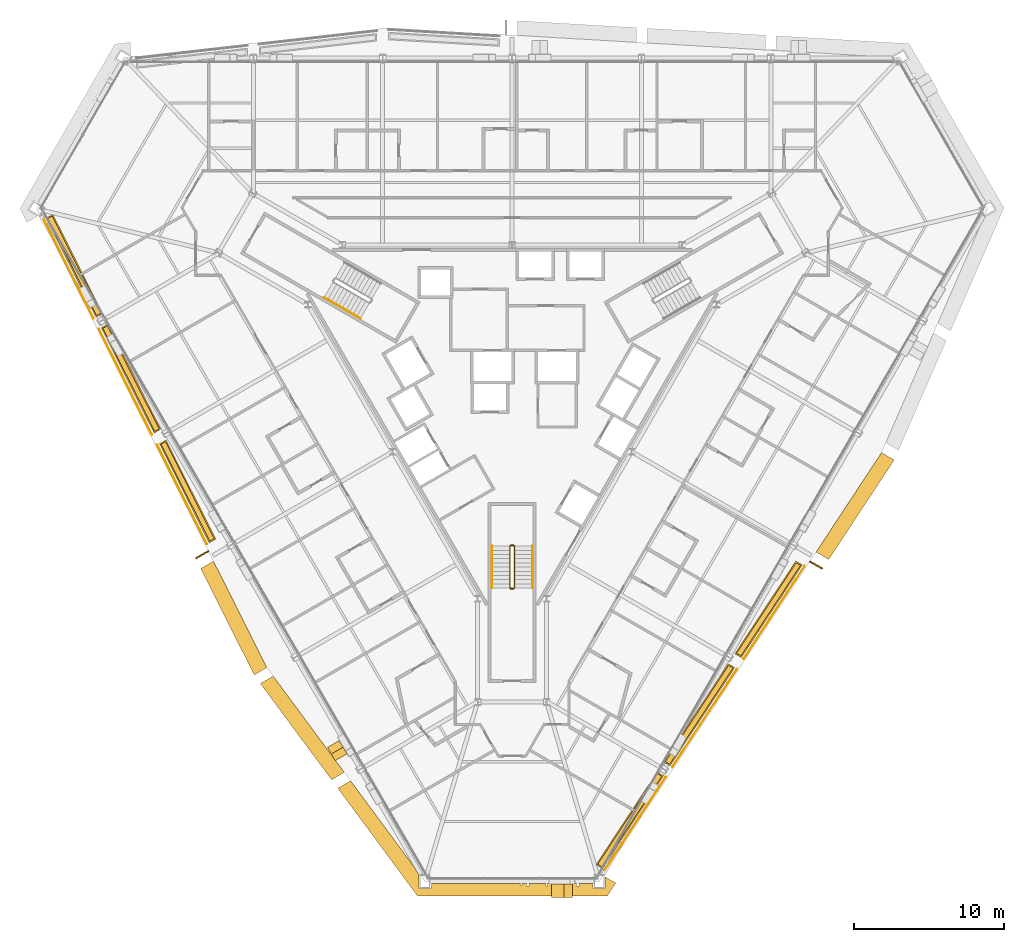
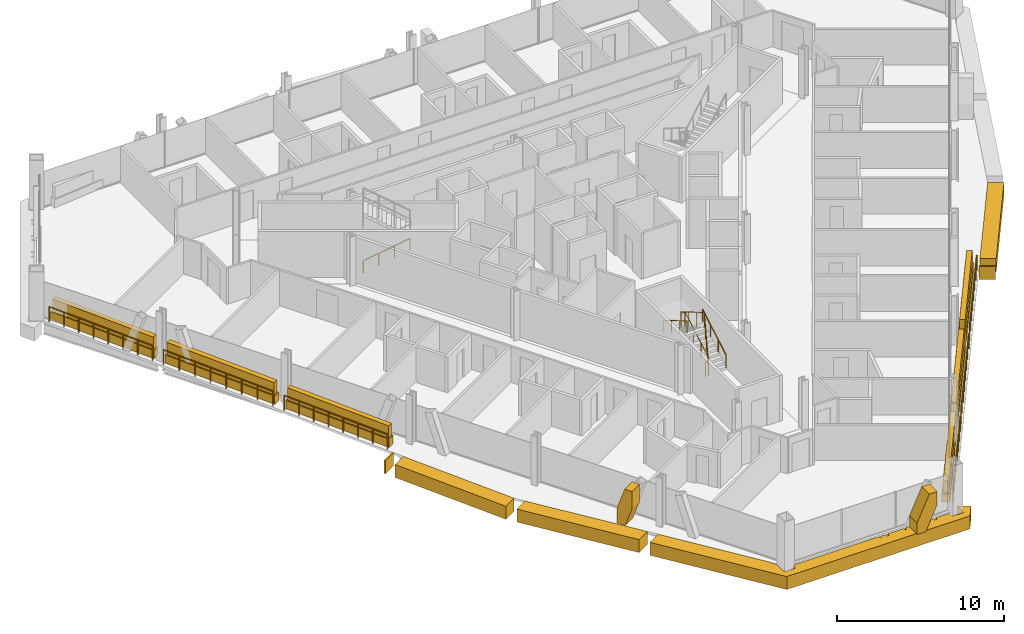
# One storey, part 17 of 18: 20 coverings, 10 railings.
"""IFC4 building model written with IfcOpenShell, lengths in metres."""

from ifc_helpers import new_model, si_unit, direction, frame, origin, origin_2d, place, context, subcontext, project, spatial, polyline, circle, outline, extrude, material, layer, layer_set, type_object, element, save


model = new_model("IFC4")

# Units and contexts
model_context = context("Model", 3, precision=1e-05, world=origin(), true_north=direction((0.0, 1.0)))
body_context = subcontext(model_context, "Body", "Model", "MODEL_VIEW")
ifc_project = project(units=[si_unit("LENGTHUNIT", "METRE"), si_unit("AREAUNIT", "SQUARE_METRE"), si_unit("VOLUMEUNIT", "CUBIC_METRE"), si_unit("PLANEANGLEUNIT", "RADIAN"), si_unit("MASSUNIT", "GRAM", prefix="KILO")], contexts=[model_context])

# Site, building, storey
site_placement = place(None, origin())
site = spatial("IfcSite", under=ifc_project, at=site_placement, CompositionType="ELEMENT")
building_placement = place(site_placement, origin())
building = spatial("IfcBuilding", under=site, at=building_placement, Name="Verrane Prism Tower", CompositionType="ELEMENT")
storey_placement = place(building_placement, frame((0.0, 0.0, 80.0)))
storey = spatial("IfcBuildingStorey", under=building, at=storey_placement, Name="L18", CompositionType="ELEMENT", Elevation=80.0)

# Coverings
ifc_material_1 = material(Name="Planting medium in stone kerb", Category="masonry")
covering_type_1 = type_object("IfcCoveringType", Name="Planter bed 600", PredefinedType="USERDEFINED", material=ifc_material_1)
covering_1_placement = place(storey_placement, origin())
element("IfcCovering", 1, at=covering_1_placement, inside=storey, type_object=covering_type_1, Name="Loggia planter SW1 L18", ObjectType="PLANTER", PredefinedType="USERDEFINED", context=body_context, shape_type="SweptSolid", body=[
    extrude(outline(polyline([(-31.07275390625, 10.980224609375), (-27.755859375, 4.371337890625), (-27.322998046875, 4.621337890625), (-30.639892578125, 11.230224609375), (-31.07275390625, 10.980224609375)])), origin(), (0.0, 0.0, 1.0), 0.60009765625),
])
covering_2_placement = place(storey_placement, origin())
element("IfcCovering", 2, at=covering_2_placement, inside=storey, type_object=covering_type_1, Name="Loggia planter SW2 L18", ObjectType="PLANTER", PredefinedType="USERDEFINED", context=body_context, shape_type="SweptSolid", body=[
    extrude(outline(polyline([(-27.396484375, 3.6552734375), (-23.87744140625, -3.3564453125), (-23.4443359375, -3.1064453125), (-26.96337890625, 3.9052734375), (-27.396484375, 3.6552734375)])), origin(), (0.0, 0.0, 1.0), 0.60009765625),
])
covering_3_placement = place(storey_placement, origin())
element("IfcCovering", 3, at=covering_3_placement, inside=storey, type_object=covering_type_1, Name="Loggia planter SW3 L18", ObjectType="PLANTER", PredefinedType="USERDEFINED", context=body_context, shape_type="SweptSolid", body=[
    extrude(outline(polyline([(-23.517822265625, -4.07275390625), (-20.200927734375, -10.681640625), (-19.76806640625, -10.431640625), (-23.0849609375, -3.82275390625), (-23.517822265625, -4.07275390625)])), origin(), (0.0, 0.0, 1.0), 0.60009765625),
])
covering_4_placement = place(storey_placement, origin())
element("IfcCovering", 4, at=covering_4_placement, inside=storey, type_object=covering_type_1, Name="Loggia planter SE1 L18", ObjectType="PLANTER", PredefinedType="USERDEFINED", context=body_context, shape_type="SweptSolid", body=[
    extrude(outline(polyline([(6.02734375, -32.39990234375), (10.09228515625, -26.222900390625), (9.6591796875, -25.972900390625), (5.59423828125, -32.14990234375), (6.02734375, -32.39990234375)])), origin(), (0.0, 0.0, 1.0), 0.60009765625),
])
covering_5_placement = place(storey_placement, origin())
element("IfcCovering", 5, at=covering_5_placement, inside=storey, type_object=covering_type_1, Name="Loggia planter SE2 L18", ObjectType="PLANTER", PredefinedType="USERDEFINED", context=body_context, shape_type="SweptSolid", body=[
    extrude(outline(polyline([(10.53271484375, -25.5537109375), (14.845458984375, -19.000244140625), (14.41259765625, -18.750244140625), (10.099853515625, -25.3037109375), (10.53271484375, -25.5537109375)])), origin(), (0.0, 0.0, 1.0), 0.60009765625),
])
covering_6_placement = place(storey_placement, origin())
element("IfcCovering", 6, at=covering_6_placement, inside=storey, type_object=covering_type_1, Name="Loggia planter SE3 L18", ObjectType="PLANTER", PredefinedType="USERDEFINED", context=body_context, shape_type="SweptSolid", body=[
    extrude(outline(polyline([(15.2861328125, -18.330810546875), (19.35107421875, -12.15380859375), (18.91796875, -11.90380859375), (14.85302734375, -18.080810546875), (15.2861328125, -18.330810546875)])), origin(), (0.0, 0.0, 1.0), 0.60009765625),
])
ifc_material_2 = material(Name="Planted shrubs and grasses", Category="other")
covering_type_2 = type_object("IfcCoveringType", Name="Planting mass 1000", PredefinedType="USERDEFINED", material=ifc_material_2)
covering_7_placement = place(storey_placement, frame((0.0, 0.0, 0.60009765625)))
element("IfcCovering", 7, at=covering_7_placement, inside=storey, type_object=covering_type_2, Name="Loggia planting SW1 L18", ObjectType="PLANTING", PredefinedType="USERDEFINED", context=body_context, shape_type="SweptSolid", body=[
    extrude(outline(polyline([(-27.722412109375, 4.483154296875), (-27.42822265625, 4.653076171875), (-30.67333984375, 11.118408203125), (-30.967529296875, 10.948486328125), (-27.722412109375, 4.483154296875)])), origin(), (0.0, 0.0, 1.0), 0.89990234375),
])
covering_8_placement = place(storey_placement, frame((0.0, 0.0, 0.60009765625)))
element("IfcCovering", 8, at=covering_8_placement, inside=storey, type_object=covering_type_2, Name="Loggia planting SW2 L18", ObjectType="PLANTING", PredefinedType="USERDEFINED", context=body_context, shape_type="SweptSolid", body=[
    extrude(outline(polyline([(-23.843994140625, -3.244873046875), (-23.5498046875, -3.074951171875), (-26.996826171875, 3.79345703125), (-27.291015625, 3.62353515625), (-23.843994140625, -3.244873046875)])), origin(), (0.0, 0.0, 1.0), 0.89990234375),
])
covering_9_placement = place(storey_placement, frame((0.0, 0.0, 0.60009765625)))
element("IfcCovering", 9, at=covering_9_placement, inside=storey, type_object=covering_type_2, Name="Loggia planting SW3 L18", ObjectType="PLANTING", PredefinedType="USERDEFINED", context=body_context, shape_type="SweptSolid", body=[
    extrude(outline(polyline([(-20.16748046875, -10.56982421875), (-19.873291015625, -10.39990234375), (-23.118408203125, -3.9345703125), (-23.41259765625, -4.1044921875), (-20.16748046875, -10.56982421875)])), origin(), (0.0, 0.0, 1.0), 0.89990234375),
])
covering_10_placement = place(storey_placement, frame((0.0, 0.0, 0.60009765625)))
element("IfcCovering", 10, at=covering_10_placement, inside=storey, type_object=covering_type_2, Name="Loggia planting SE1 L18", ObjectType="PLANTING", PredefinedType="USERDEFINED", context=body_context, shape_type="SweptSolid", body=[
    extrude(outline(polyline([(9.978759765625, -26.25), (9.6845703125, -26.080078125), (5.707763671875, -32.123046875), (6.001953125, -32.29296875), (9.978759765625, -26.25)])), origin(), (0.0, 0.0, 1.0), 0.89990234375),
])
covering_11_placement = place(storey_placement, frame((0.0, 0.0, 0.60009765625)))
element("IfcCovering", 11, at=covering_11_placement, inside=storey, type_object=covering_type_2, Name="Loggia planting SE2 L18", ObjectType="PLANTING", PredefinedType="USERDEFINED", context=body_context, shape_type="SweptSolid", body=[
    extrude(outline(polyline([(14.73193359375, -19.027099609375), (14.437744140625, -18.857177734375), (10.21337890625, -25.276611328125), (10.507568359375, -25.446533203125), (14.73193359375, -19.027099609375)])), origin(), (0.0, 0.0, 1.0), 0.89990234375),
])
covering_12_placement = place(storey_placement, frame((0.0, 0.0, 0.60009765625)))
element("IfcCovering", 12, at=covering_12_placement, inside=storey, type_object=covering_type_2, Name="Loggia planting SE3 L18", ObjectType="PLANTING", PredefinedType="USERDEFINED", context=body_context, shape_type="SweptSolid", body=[
    extrude(outline(polyline([(19.237548828125, -12.1806640625), (18.943359375, -12.0107421875), (14.966552734375, -18.0537109375), (15.2607421875, -18.2236328125), (19.237548828125, -12.1806640625)])), origin(), (0.0, 0.0, 1.0), 0.89990234375),
])

# Railings
ifc_material_3 = material(Name="Steel A36 rail and posts, no infill", Category="steel")
railing_type_1 = type_object("IfcRailingType", Name="Stair guard 1100 steel rail and posts", PredefinedType="GUARDRAIL", material=ifc_material_3)
railing_1_placement = place(storey_placement, frame((0.14990234375, -13.699951171875, 0.16357421875)))
element("IfcRailing", 13, at=railing_1_placement, inside=storey, type_object=railing_type_1, Name="Stair 3 guard", PredefinedType="GUARDRAIL", context=body_context, shape_type="SweptSolid", body=[
    extrude(circle(Radius=0.02392578125, at=origin_2d()), frame((0.0, 0.0, 1.076171875), z_axis=(0.0, 0.863360870873, 0.504586966384), x_axis=(-1.0, 0.0, 0.0)), (0.0, 0.0, 1.0), 3.2431640625),
    extrude(circle(Radius=0.02392578125, at=origin_2d()), frame((0.0, 2.800048828125, 2.71240234375), z_axis=(-0.707106781187, 0.707106781187, 0.0), x_axis=(-0.707106781187, -0.707106781187, 0.0)), (0.0, 0.0, 1.0), 0.0703125),
    extrude(circle(Radius=0.02392578125, at=origin_2d()), frame((-0.0498046875, 2.849853515625, 2.71240234375), z_axis=(-1.0, 0.0, 0.0), x_axis=(0.0, -1.0, 0.0)), (0.0, 0.0, 1.0), 0.2001953125),
    extrude(circle(Radius=0.02392578125, at=origin_2d()), frame((-0.25, 2.849853515625, 2.71240234375), z_axis=(-0.279653641804, -0.279653641804, 0.918470294159), x_axis=(0.707106781187, -0.707106781187, 0.0)), (0.0, 0.0, 1.0), 0.177978515625),
    extrude(circle(Radius=0.02392578125, at=origin_2d()), frame((-0.2998046875, 2.800048828125, 2.8759765625), z_axis=(0.0, -0.863360870873, 0.504586966384), x_axis=(1.0, 0.0, 0.0)), (0.0, 0.0, 1.0), 3.2431640625),
    extrude(circle(Radius=0.02392578125, at=origin_2d()), frame((-0.2998046875, 0.0, 4.5126953125), z_axis=(0.069269067181, -0.013867342551, -0.997501625634), x_axis=(0.196300278283, 0.98054382908, 0.0)), (0.0, 0.0, 1.0), 3.609130859375),
    extrude(circle(Radius=0.02392578125, at=origin_2d()), frame((-0.0498046875, -0.050048828125, 0.91259765625), z_axis=(-1.0, 0.0, 0.0), x_axis=(0.0, -1.0, 0.0)), (0.0, 0.0, 1.0), 0.2001953125),
    extrude(circle(Radius=0.02099609375, at=origin_2d()), origin(), (0.0, 0.0, 1.0), 1.052001953125),
    extrude(circle(Radius=0.02099609375, at=origin_2d()), frame((0.0, 0.933349609375, 0.54541015625)), (0.0, 0.0, 1.0), 1.052001953125),
    extrude(circle(Radius=0.02099609375, at=origin_2d()), frame((0.0, 1.86669921875, 1.091064453125)), (0.0, 0.0, 1.0), 1.052001953125),
    extrude(circle(Radius=0.02099609375, at=origin_2d()), frame((0.0, 2.800048828125, 1.636474609375)), (0.0, 0.0, 1.0), 1.052001953125),
    extrude(circle(Radius=0.02099609375, at=origin_2d()), frame((-0.0498046875, 2.849853515625, 1.636474609375)), (0.0, 0.0, 1.0), 1.052001953125),
    extrude(circle(Radius=0.02099609375, at=origin_2d()), frame((-0.25, 2.849853515625, 1.636474609375)), (0.0, 0.0, 1.0), 1.052001953125),
    extrude(circle(Radius=0.02099609375, at=origin_2d()), frame((-0.2998046875, 2.800048828125, 1.800048828125)), (0.0, 0.0, 1.0), 1.052001953125),
    extrude(circle(Radius=0.02099609375, at=origin_2d()), frame((-0.2998046875, 1.86669921875, 2.345458984375)), (0.0, 0.0, 1.0), 1.052001953125),
    extrude(circle(Radius=0.02099609375, at=origin_2d()), frame((-0.2998046875, 0.933349609375, 2.89111328125)), (0.0, 0.0, 1.0), 1.052001953125),
    extrude(circle(Radius=0.02099609375, at=origin_2d()), frame((-0.2998046875, 0.0, 3.4365234375)), (0.0, 0.0, 1.0), 1.052001953125),
    extrude(circle(Radius=0.02099609375, at=origin_2d()), frame((-0.2373046875, -0.012451171875, 2.53662109375)), (0.0, 0.0, 1.0), 1.052001953125),
    extrude(circle(Radius=0.02099609375, at=origin_2d()), frame((-0.1748046875, -0.02490234375, 1.636474609375)), (0.0, 0.0, 1.0), 1.052001953125),
    extrude(circle(Radius=0.02099609375, at=origin_2d()), frame((-0.1123046875, -0.03759765625, 0.736328125)), (0.0, 0.0, 1.0), 1.052001953125),
    extrude(circle(Radius=0.02099609375, at=origin_2d()), frame((-0.0498046875, -0.050048828125, -0.16357421875)), (0.0, 0.0, 1.0), 1.052001953125),
    extrude(circle(Radius=0.02099609375, at=origin_2d()), frame((-0.25, -0.050048828125, -0.16357421875)), (0.0, 0.0, 1.0), 1.052001953125),
])
ifc_material_4 = material(Name="Steel A36 tube", Category="steel")
railing_type_2 = type_object("IfcRailingType", Name="Stair handrail 900 steel tube", PredefinedType="HANDRAIL", material=ifc_material_4)
railing_2_placement = place(storey_placement, frame((-12.53955078125, 5.680908203125, 0.16357421875)))
element("IfcRailing", 14, at=railing_2_placement, inside=storey, type_object=railing_type_2, Name="Stair 2 handrail", PredefinedType="HANDRAIL", context=body_context, shape_type="SweptSolid", body=[
    extrude(circle(Radius=0.02392578125, at=origin_2d()), frame((0.0, 0.0, 0.8759765625), z_axis=(0.747665513933, -0.431721881032, 0.504591415616), x_axis=(0.500049511043, 0.865996816683, 0.0)), (0.0, 0.0, 1.0), 3.2431640625),
    extrude(circle(Radius=0.02099609375, at=origin_2d()), origin(), (0.0, 0.0, 1.0), 0.851806640625),
    extrude(circle(Radius=0.02099609375, at=origin_2d()), frame((0.808349609375, -0.466796875, 0.54541015625)), (0.0, 0.0, 1.0), 0.851806640625),
    extrude(circle(Radius=0.02099609375, at=origin_2d()), frame((1.616455078125, -0.933349609375, 1.091064453125)), (0.0, 0.0, 1.0), 0.851806640625),
    extrude(circle(Radius=0.02099609375, at=origin_2d()), frame((2.4248046875, -1.400146484375, 1.636474609375)), (0.0, 0.0, 1.0), 0.851806640625),
])
railing_3_placement = place(storey_placement, frame((1.35009765625, -13.699951171875, 0.16357421875)))
element("IfcRailing", 15, at=railing_3_placement, inside=storey, type_object=railing_type_2, Name="Stair 3 handrail", PredefinedType="HANDRAIL", context=body_context, shape_type="SweptSolid", body=[
    extrude(circle(Radius=0.02392578125, at=origin_2d()), frame((0.0, 0.0, 0.8759765625), z_axis=(0.0, 0.863360870873, 0.504586966384), x_axis=(-1.0, 0.0, 0.0)), (0.0, 0.0, 1.0), 3.2431640625),
    extrude(circle(Radius=0.02099609375, at=origin_2d()), origin(), (0.0, 0.0, 1.0), 0.851806640625),
    extrude(circle(Radius=0.02099609375, at=origin_2d()), frame((0.0, 0.933349609375, 0.54541015625)), (0.0, 0.0, 1.0), 0.851806640625),
    extrude(circle(Radius=0.02099609375, at=origin_2d()), frame((0.0, 1.86669921875, 1.091064453125)), (0.0, 0.0, 1.0), 0.851806640625),
    extrude(circle(Radius=0.02099609375, at=origin_2d()), frame((0.0, 2.800048828125, 1.636474609375)), (0.0, 0.0, 1.0), 0.851806640625),
])
railing_4_placement = place(storey_placement, frame((-1.35009765625, -10.89990234375, 1.963623046875)))
element("IfcRailing", 16, at=railing_4_placement, inside=storey, type_object=railing_type_2, Name="Stair 3 handrail", PredefinedType="HANDRAIL", context=body_context, shape_type="SweptSolid", body=[
    extrude(circle(Radius=0.02392578125, at=origin_2d()), frame((0.0, 0.0, 0.8759765625), z_axis=(0.0, -0.863360870873, 0.504586966384), x_axis=(1.0, 0.0, 0.0)), (0.0, 0.0, 1.0), 3.2431640625),
    extrude(circle(Radius=0.02099609375, at=origin_2d()), origin(), (0.0, 0.0, 1.0), 0.851806640625),
    extrude(circle(Radius=0.02099609375, at=origin_2d()), frame((0.0, -0.933349609375, 0.54541015625)), (0.0, 0.0, 1.0), 0.851806640625),
    extrude(circle(Radius=0.02099609375, at=origin_2d()), frame((0.0, -1.86669921875, 1.091064453125)), (0.0, 0.0, 1.0), 0.851806640625),
    extrude(circle(Radius=0.02099609375, at=origin_2d()), frame((0.0, -2.800048828125, 1.636474609375)), (0.0, 0.0, 1.0), 0.851806640625),
])

# Coverings
ifc_material_5 = material(Name="Warm limestone cladding", Category="masonry")
ifc_layer_1 = layer(ifc_material_5, 0.89990234375)
ifc_layer_set_1 = layer_set([ifc_layer_1], Name="Stone brace fin 900")
covering_type_3 = type_object("IfcCoveringType", Name="Stone brace fin 900", PredefinedType="CLADDING", material=ifc_layer_set_1)
covering_13_placement = place(storey_placement, frame((-11.923095703125, -24.0927734375, 0.0), z_axis=(0.0, 0.0, 1.0), x_axis=(0.5001118933, -0.865960792519, 0.0)))
element("IfcCovering", 17, at=covering_13_placement, inside=storey, type_object=covering_type_3, Name="Stone brace fin SW5 L18", PredefinedType="CLADDING", context=body_context, shape_type="SweptSolid", body=[
    extrude(outline(polyline([(1.031005859375, 2.64990234375), (0.515869140625, 2.64990234375), (0.0, 1.145263671875), (0.0, 0.0), (0.558837890625, 0.0), (1.031005859375, 1.377685546875), (1.031005859375, 2.64990234375)])), frame((0.0, 0.449951171875, 0.0), z_axis=(0.0, -1.0, 0.0), x_axis=(1.0, 0.0, 0.0)), (0.0, 0.0, 1.0), 0.89990234375),
])
covering_14_placement = place(storey_placement, frame((2.632080078125, -33.8876953125, 0.0), z_axis=(0.0, 0.0, 1.0), x_axis=(1.0, 0.0, 0.0)))
element("IfcCovering", 18, at=covering_14_placement, inside=storey, type_object=covering_type_3, Name="Stone brace fin S1 L18", PredefinedType="CLADDING", context=body_context, shape_type="SweptSolid", body=[
    extrude(outline(polyline([(1.38720703125, 2.64990234375), (0.841552734375, 2.64990234375), (0.0, 0.827880859375), (0.0, 0.0), (0.60888671875, 0.0), (1.38720703125, 1.684814453125), (1.38720703125, 2.64990234375)])), frame((0.0, 0.449951171875, 0.0), z_axis=(0.0, -1.0, 0.0), x_axis=(1.0, 0.0, 0.0)), (0.0, 0.0, 1.0), 0.89990234375),
])
ifc_material_6 = material(Name="Warm limestone cladding", Category="masonry")
ifc_layer_2 = layer(ifc_material_6, 0.449951171875)
ifc_layer_set_2 = layer_set([ifc_layer_2], Name="Stone spandrel band 450")
covering_type_4 = type_object("IfcCoveringType", Name="Stone spandrel band 450", PredefinedType="CLADDING", material=ifc_layer_set_2)
covering_15_placement = place(storey_placement, frame((0.0, 0.0, -0.949951171875)))
element("IfcCovering", 19, at=covering_15_placement, inside=storey, type_object=covering_type_4, Name="Stone spandrel band L18 part 2", PredefinedType="CLADDING", context=body_context, shape_type="SweptSolid", body=[
    extrude(outline(polyline([(6.34619140625, -34.2392578125), (6.915283203125, -33.37451171875), (6.199951171875, -32.961669921875), (6.199951171875, -33.739990234375), (5.43994140625, -33.739990234375), (5.43994140625, -33.718017578125), (5.392822265625, -33.634521484375), (5.392822265625, -33.39453125), (4.446533203125, -33.39453125), (4.446533203125, -33.56005859375), (4.291259765625, -33.56005859375), (4.291259765625, -33.39453125), (4.019287109375, -33.39453125), (4.019287109375, -33.56005859375), (3.923095703125, -33.56005859375), (3.923095703125, -33.39453125), (2.79150390625, -33.39453125), (2.79150390625, -33.56005859375), (2.632080078125, -33.56005859375), (2.632080078125, -33.39453125), (2.3564453125, -33.39453125), (2.3564453125, -33.56005859375), (2.26025390625, -33.56005859375), (2.26025390625, -33.39453125), (1.128662109375, -33.39453125), (1.128662109375, -33.56005859375), (0.96923828125, -33.56005859375), (0.96923828125, -33.39453125), (0.666015625, -33.39453125), (0.63134765625, -33.552978515625), (0.53662109375, -33.5322265625), (0.56689453125, -33.39453125), (-5.392822265625, -33.39453125), (-5.392822265625, -33.634521484375), (-5.43994140625, -33.718017578125), (-5.43994140625, -33.739990234375), (-6.199951171875, -33.739990234375), (-6.199951171875, -32.867919921875), (-6.521484375, -32.31103515625), (-10.7744140625, -26.55908203125), (-11.626953125, -27.051513671875), (-6.312255859375, -34.2392578125), (6.34619140625, -34.2392578125)])), origin(), (0.0, 0.0, 1.0), 0.949951171875),
])
covering_16_placement = place(storey_placement, frame((0.0, 0.0, -0.949951171875)))
element("IfcCovering", 20, at=covering_16_placement, inside=storey, type_object=covering_type_4, Name="Stone spandrel band L18 part 4", PredefinedType="CLADDING", context=body_context, shape_type="SweptSolid", body=[
    extrude(outline(polyline([(-20.770263671875, -12.395751953125), (-17.2060546875, -19.4970703125), (-16.357666015625, -19.007080078125), (-19.921630859375, -11.906005859375), (-20.770263671875, -12.395751953125)])), origin(), (0.0, 0.0, 1.0), 0.949951171875),
])
covering_17_placement = place(storey_placement, frame((0.0, 0.0, -0.949951171875)))
element("IfcCovering", 21, at=covering_17_placement, inside=storey, type_object=covering_type_4, Name="Stone spandrel band L18 part 5", PredefinedType="CLADDING", context=body_context, shape_type="SweptSolid", body=[
    extrude(outline(polyline([(-16.7919921875, -20.066162109375), (-12.0458984375, -26.485107421875), (-11.193359375, -25.992919921875), (-15.939453125, -19.573974609375), (-16.7919921875, -20.066162109375)])), origin(), (0.0, 0.0, 1.0), 0.949951171875),
])
covering_18_placement = place(storey_placement, frame((0.0, 0.0, -0.949951171875)))
element("IfcCovering", 22, at=covering_18_placement, inside=storey, type_object=covering_type_4, Name="Stone spandrel band L18 part 6", PredefinedType="CLADDING", context=body_context, shape_type="SweptSolid", body=[
    extrude(outline(polyline([(24.639404296875, -4.66259765625), (20.271728515625, -11.2998046875), (21.1201171875, -11.78955078125), (25.488037109375, -5.15234375), (24.639404296875, -4.66259765625)])), origin(), (0.0, 0.0, 1.0), 0.949951171875),
])
covering_19_placement = place(storey_placement, frame((0.0, 0.0, -0.949951171875)))
element("IfcCovering", 23, at=covering_19_placement, inside=storey, type_object=covering_type_4, Name="Stone spandrel band L18 part 9", PredefinedType="CLADDING", context=body_context, shape_type="SweptSolid", body=[
    extrude(outline(polyline([(-20.281005859375, -11.189697265625), (-21.129638671875, -11.6796875), (-21.084716796875, -11.76904296875), (-20.236083984375, -11.279296875), (-20.281005859375, -11.189697265625)])), origin(), (0.0, 0.0, 1.0), 0.949951171875),
])
covering_20_placement = place(storey_placement, frame((0.0, 0.0, -0.949951171875)))
element("IfcCovering", 24, at=covering_20_placement, inside=storey, type_object=covering_type_4, Name="Stone spandrel band L18 part 10", PredefinedType="CLADDING", context=body_context, shape_type="SweptSolid", body=[
    extrude(outline(polyline([(19.8310546875, -11.968994140625), (20.6796875, -12.458984375), (20.734619140625, -12.375244140625), (19.88623046875, -11.885498046875), (19.8310546875, -11.968994140625)])), origin(), (0.0, 0.0, 1.0), 0.949951171875),
])

# Railings
ifc_material_7 = material(Name="Stainless steel and laminated glass", Category="steel")
railing_type_3 = type_object("IfcRailingType", Name="Terrace guard 1100", PredefinedType="GUARDRAIL", material=ifc_material_7)
railing_5_placement = place(storey_placement, frame((-31.228515625, 10.89013671875, 0.0)))
element("IfcRailing", 25, at=railing_5_placement, inside=storey, type_object=railing_type_3, Name="Loggia guard SW1 L18", PredefinedType="GUARDRAIL", context=body_context, shape_type="SweptSolid", body=[
    extrude(circle(Radius=0.02392578125, at=origin_2d()), frame((0.0, 0.0, 1.076171875), z_axis=(0.448547017888, -0.893759236452, 0.0), x_axis=(0.893759236452, 0.448547017888, 0.0)), (0.0, 0.0, 1.0), 7.394287109375),
    extrude(circle(Radius=0.02099609375, at=origin_2d()), origin(), (0.0, 0.0, 1.0), 1.052001953125),
    extrude(circle(Radius=0.02099609375, at=origin_2d()), frame((0.473876953125, -0.944091796875, 0.0)), (0.0, 0.0, 1.0), 1.052001953125),
    extrude(circle(Radius=0.02099609375, at=origin_2d()), frame((0.947509765625, -1.88818359375, 0.0)), (0.0, 0.0, 1.0), 1.052001953125),
    extrude(circle(Radius=0.02099609375, at=origin_2d()), frame((1.42138671875, -2.832275390625, 0.0)), (0.0, 0.0, 1.0), 1.052001953125),
    extrude(circle(Radius=0.02099609375, at=origin_2d()), frame((1.895263671875, -3.7763671875, 0.0)), (0.0, 0.0, 1.0), 1.052001953125),
    extrude(circle(Radius=0.02099609375, at=origin_2d()), frame((2.369140625, -4.720458984375, 0.0)), (0.0, 0.0, 1.0), 1.052001953125),
    extrude(circle(Radius=0.02099609375, at=origin_2d()), frame((2.8427734375, -5.66455078125, 0.0)), (0.0, 0.0, 1.0), 1.052001953125),
    extrude(circle(Radius=0.02099609375, at=origin_2d()), frame((3.316650390625, -6.608642578125, 0.0)), (0.0, 0.0, 1.0), 1.052001953125),
])
railing_6_placement = place(storey_placement, frame((-27.55224609375, 3.565185546875, 0.0)))
element("IfcRailing", 26, at=railing_6_placement, inside=storey, type_object=railing_type_3, Name="Loggia guard SW2 L18", PredefinedType="GUARDRAIL", context=body_context, shape_type="SweptSolid", body=[
    extrude(circle(Radius=0.02392578125, at=origin_2d()), frame((0.0, 0.0, 1.076171875), z_axis=(0.448557455684, -0.893753998005, 0.0), x_axis=(0.893753998005, 0.448557455684, 0.0)), (0.0, 0.0, 1.0), 7.84521484375),
    extrude(circle(Radius=0.02099609375, at=origin_2d()), origin(), (0.0, 0.0, 1.0), 1.052001953125),
    extrude(circle(Radius=0.02099609375, at=origin_2d()), frame((0.502685546875, -1.001708984375, 0.0)), (0.0, 0.0, 1.0), 1.052001953125),
    extrude(circle(Radius=0.02099609375, at=origin_2d()), frame((1.00537109375, -2.00341796875, 0.0)), (0.0, 0.0, 1.0), 1.052001953125),
    extrude(circle(Radius=0.02099609375, at=origin_2d()), frame((1.508056640625, -3.005126953125, 0.0)), (0.0, 0.0, 1.0), 1.052001953125),
    extrude(circle(Radius=0.02099609375, at=origin_2d()), frame((2.010986328125, -4.006591796875, 0.0)), (0.0, 0.0, 1.0), 1.052001953125),
    extrude(circle(Radius=0.02099609375, at=origin_2d()), frame((2.513671875, -5.00830078125, 0.0)), (0.0, 0.0, 1.0), 1.052001953125),
    extrude(circle(Radius=0.02099609375, at=origin_2d()), frame((3.016357421875, -6.010009765625, 0.0)), (0.0, 0.0, 1.0), 1.052001953125),
    extrude(circle(Radius=0.02099609375, at=origin_2d()), frame((3.51904296875, -7.01171875, 0.0)), (0.0, 0.0, 1.0), 1.052001953125),
])
railing_7_placement = place(storey_placement, frame((-23.673828125, -4.162841796875, 0.0)))
element("IfcRailing", 27, at=railing_7_placement, inside=storey, type_object=railing_type_3, Name="Loggia guard SW3 L18", PredefinedType="GUARDRAIL", context=body_context, shape_type="SweptSolid", body=[
    extrude(circle(Radius=0.02392578125, at=origin_2d()), frame((0.0, 0.0, 1.076171875), z_axis=(0.448573392117, -0.893745999647, 0.0), x_axis=(0.893745999647, 0.448573392117, 0.0)), (0.0, 0.0, 1.0), 7.394287109375),
    extrude(circle(Radius=0.02099609375, at=origin_2d()), origin(), (0.0, 0.0, 1.0), 1.052001953125),
    extrude(circle(Radius=0.02099609375, at=origin_2d()), frame((0.473876953125, -0.944091796875, 0.0)), (0.0, 0.0, 1.0), 1.052001953125),
    extrude(circle(Radius=0.02099609375, at=origin_2d()), frame((0.94775390625, -1.88818359375, 0.0)), (0.0, 0.0, 1.0), 1.052001953125),
    extrude(circle(Radius=0.02099609375, at=origin_2d()), frame((1.421630859375, -2.832275390625, 0.0)), (0.0, 0.0, 1.0), 1.052001953125),
    extrude(circle(Radius=0.02099609375, at=origin_2d()), frame((1.895263671875, -3.7763671875, 0.0)), (0.0, 0.0, 1.0), 1.052001953125),
    extrude(circle(Radius=0.02099609375, at=origin_2d()), frame((2.369140625, -4.720458984375, 0.0)), (0.0, 0.0, 1.0), 1.052001953125),
    extrude(circle(Radius=0.02099609375, at=origin_2d()), frame((2.843017578125, -5.66455078125, 0.0)), (0.0, 0.0, 1.0), 1.052001953125),
    extrude(circle(Radius=0.02099609375, at=origin_2d()), frame((3.31689453125, -6.608642578125, 0.0)), (0.0, 0.0, 1.0), 1.052001953125),
])
railing_8_placement = place(storey_placement, frame((6.18310546875, -32.489990234375, 0.0)))
element("IfcRailing", 28, at=railing_8_placement, inside=storey, type_object=railing_type_3, Name="Loggia guard SE1 L18", PredefinedType="GUARDRAIL", context=body_context, shape_type="SweptSolid", body=[
    extrude(circle(Radius=0.02392578125, at=origin_2d()), frame((0.0, 0.0, 1.076171875), z_axis=(0.5497226154, 0.835347260795, 0.0), x_axis=(-0.835347260795, 0.5497226154, 0.0)), (0.0, 0.0, 1.0), 7.39453125),
    extrude(circle(Radius=0.02099609375, at=origin_2d()), origin(), (0.0, 0.0, 1.0), 1.052001953125),
    extrude(circle(Radius=0.02099609375, at=origin_2d()), frame((0.580810546875, 0.88232421875, 0.0)), (0.0, 0.0, 1.0), 1.052001953125),
    extrude(circle(Radius=0.02099609375, at=origin_2d()), frame((1.161376953125, 1.764892578125, 0.0)), (0.0, 0.0, 1.0), 1.052001953125),
    extrude(circle(Radius=0.02099609375, at=origin_2d()), frame((1.7421875, 2.647216796875, 0.0)), (0.0, 0.0, 1.0), 1.052001953125),
    extrude(circle(Radius=0.02099609375, at=origin_2d()), frame((2.32275390625, 3.52978515625, 0.0)), (0.0, 0.0, 1.0), 1.052001953125),
    extrude(circle(Radius=0.02099609375, at=origin_2d()), frame((2.903564453125, 4.412109375, 0.0)), (0.0, 0.0, 1.0), 1.052001953125),
    extrude(circle(Radius=0.02099609375, at=origin_2d()), frame((3.484130859375, 5.294677734375, 0.0)), (0.0, 0.0, 1.0), 1.052001953125),
    extrude(circle(Radius=0.02099609375, at=origin_2d()), frame((4.06494140625, 6.177001953125, 0.0)), (0.0, 0.0, 1.0), 1.052001953125),
])
railing_9_placement = place(storey_placement, frame((10.688720703125, -25.6435546875, 0.0)))
element("IfcRailing", 29, at=railing_9_placement, inside=storey, type_object=railing_type_3, Name="Loggia guard SE2 L18", PredefinedType="GUARDRAIL", context=body_context, shape_type="SweptSolid", body=[
    extrude(circle(Radius=0.02392578125, at=origin_2d()), frame((0.0, 0.0, 1.076171875), z_axis=(0.549727949619, 0.835343750445, 0.0), x_axis=(-0.835343750445, 0.549727949619, 0.0)), (0.0, 0.0, 1.0), 7.84521484375),
    extrude(circle(Radius=0.02099609375, at=origin_2d()), origin(), (0.0, 0.0, 1.0), 1.052001953125),
    extrude(circle(Radius=0.02099609375, at=origin_2d()), frame((0.6162109375, 0.936279296875, 0.0)), (0.0, 0.0, 1.0), 1.052001953125),
    extrude(circle(Radius=0.02099609375, at=origin_2d()), frame((1.232177734375, 1.872314453125, 0.0)), (0.0, 0.0, 1.0), 1.052001953125),
    extrude(circle(Radius=0.02099609375, at=origin_2d()), frame((1.848388671875, 2.80859375, 0.0)), (0.0, 0.0, 1.0), 1.052001953125),
    extrude(circle(Radius=0.02099609375, at=origin_2d()), frame((2.46435546875, 3.744873046875, 0.0)), (0.0, 0.0, 1.0), 1.052001953125),
    extrude(circle(Radius=0.02099609375, at=origin_2d()), frame((3.08056640625, 4.68115234375, 0.0)), (0.0, 0.0, 1.0), 1.052001953125),
    extrude(circle(Radius=0.02099609375, at=origin_2d()), frame((3.696533203125, 5.6171875, 0.0)), (0.0, 0.0, 1.0), 1.052001953125),
    extrude(circle(Radius=0.02099609375, at=origin_2d()), frame((4.312744140625, 6.553466796875, 0.0)), (0.0, 0.0, 1.0), 1.052001953125),
])
railing_10_placement = place(storey_placement, frame((15.44189453125, -18.420654296875, 0.0)))
element("IfcRailing", 30, at=railing_10_placement, inside=storey, type_object=railing_type_3, Name="Loggia guard SE3 L18", PredefinedType="GUARDRAIL", context=body_context, shape_type="SweptSolid", body=[
    extrude(circle(Radius=0.02392578125, at=origin_2d()), frame((0.0, 0.0, 1.076171875), z_axis=(0.549737777153, 0.835337283001, 0.0), x_axis=(-0.835337283001, 0.549737777153, 0.0)), (0.0, 0.0, 1.0), 7.394287109375),
    extrude(circle(Radius=0.02099609375, at=origin_2d()), origin(), (0.0, 0.0, 1.0), 1.052001953125),
    extrude(circle(Radius=0.02099609375, at=origin_2d()), frame((0.580810546875, 0.88232421875, 0.0)), (0.0, 0.0, 1.0), 1.052001953125),
    extrude(circle(Radius=0.02099609375, at=origin_2d()), frame((1.161376953125, 1.764892578125, 0.0)), (0.0, 0.0, 1.0), 1.052001953125),
    extrude(circle(Radius=0.02099609375, at=origin_2d()), frame((1.7421875, 2.647216796875, 0.0)), (0.0, 0.0, 1.0), 1.052001953125),
    extrude(circle(Radius=0.02099609375, at=origin_2d()), frame((2.32275390625, 3.529541015625, 0.0)), (0.0, 0.0, 1.0), 1.052001953125),
    extrude(circle(Radius=0.02099609375, at=origin_2d()), frame((2.903564453125, 4.411865234375, 0.0)), (0.0, 0.0, 1.0), 1.052001953125),
    extrude(circle(Radius=0.02099609375, at=origin_2d()), frame((3.484130859375, 5.29443359375, 0.0)), (0.0, 0.0, 1.0), 1.052001953125),
    extrude(circle(Radius=0.02099609375, at=origin_2d()), frame((4.06494140625, 6.1767578125, 0.0)), (0.0, 0.0, 1.0), 1.052001953125),
])

save(model, "model.ifc")
